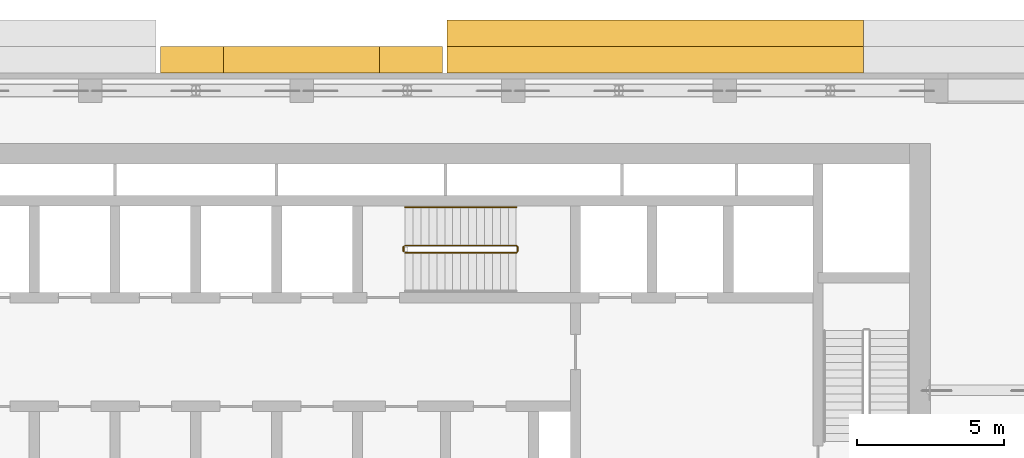
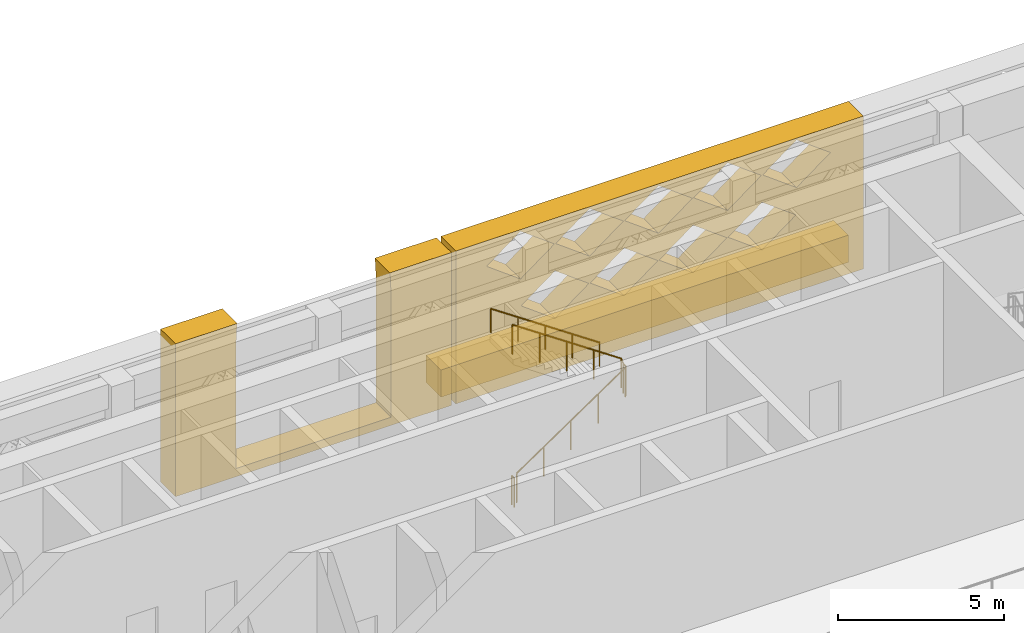
# One storey, part 19 of 20: 3 coverings, 3 railings.
"""IFC4 building model written with IfcOpenShell, lengths in metres."""

from ifc_helpers import new_model, si_unit, direction, frame, origin, origin_2d, place, context, subcontext, project, spatial, polyline, circle, outline, extrude, material, layer, layer_set, type_object, element, save


model = new_model("IFC4")

# Units and contexts
model_context = context("Model", 3, precision=1e-05, world=origin(), true_north=direction((0.0, 1.0)))
body_context = subcontext(model_context, "Body", "Model", "MODEL_VIEW")
ifc_project = project(units=[si_unit("LENGTHUNIT", "METRE"), si_unit("AREAUNIT", "SQUARE_METRE"), si_unit("VOLUMEUNIT", "CUBIC_METRE"), si_unit("PLANEANGLEUNIT", "RADIAN"), si_unit("MASSUNIT", "GRAM", prefix="KILO")], contexts=[model_context])

# Site, building, storey
site_placement = place(None, origin())
site = spatial("IfcSite", under=ifc_project, at=site_placement, CompositionType="ELEMENT")
building_placement = place(site_placement, origin())
building = spatial("IfcBuilding", under=site, at=building_placement, Name="Saffron Iwan Residences", CompositionType="ELEMENT")
storey_placement = place(building_placement, frame((0.0, 0.0, 206.0)))
storey = spatial("IfcBuildingStorey", under=building, at=storey_placement, Name="L55", CompositionType="ELEMENT", Elevation=206.0)

# Coverings
ifc_material_1 = material(Name="Precast concrete C40/50 white painted", Category="concrete")
covering_type_1 = type_object("IfcCoveringType", Name="IWAN PANEL PRECAST WHITE", PredefinedType="CLADDING", material=ifc_material_1)
covering_1_placement = place(storey_placement, frame((55.199951171875, 80.39990234375, -0.39990234375), z_axis=(0.0, 1.0, 0.0), x_axis=(-1.0, 0.0, 0.0)))
element("IfcCovering", 1, at=covering_1_placement, inside=storey, type_object=covering_type_1, Name="Iwan panel L55 F5.0", PredefinedType="CLADDING", context=body_context, shape_type="SweptSolid", body=[
    extrude(outline(polyline([(9.60009765625, 5.6201171875), (9.60009765625, 0.0), (0.0, 0.0), (0.0, 5.6201171875), (2.150390625, 5.6201171875), (2.12841796875, 5.434814453125), (2.10009765625, 4.71240234375), (2.10009765625, 0.300048828125), (7.5, 0.300048828125), (7.5, 4.71240234375), (7.4716796875, 5.434814453125), (7.44970703125, 5.6201171875), (9.60009765625, 5.6201171875)])), origin(), (0.0, 0.0, 1.0), 0.900146484375),
])
ifc_material_2 = material(Name="Precast concrete C40/50", Category="concrete")
covering_type_2 = type_object("IfcCoveringType", Name="OUTER SKIN LATTICE SCREEN", PredefinedType="CLADDING", material=ifc_material_2)
covering_2_placement = place(storey_placement, frame((69.52490234375, 80.39990234375, -0.39990234375), z_axis=(0.0, 1.0, 0.0), x_axis=(-1.0, 0.0, 0.0)))
element("IfcCovering", 2, at=covering_2_placement, inside=storey, type_object=covering_type_2, Name="OUTER SKIN lattice screen L55 F5.1", PredefinedType="CLADDING", context=body_context, shape_type="SweptSolid", body=[
    extrude(outline(polyline([(0.0, 0.0), (14.175048828125, 0.0), (14.175048828125, 5.6201171875), (0.0, 5.6201171875), (0.0, 0.0)]), holes=[polyline([(2.344970703125, 2.81005859375), (3.52490234375, 1.933349609375), (4.705078125, 2.81005859375), (3.52490234375, 3.686767578125), (2.344970703125, 2.81005859375)]), polyline([(4.7451171875, 2.81005859375), (5.925048828125, 1.933349609375), (7.10498046875, 2.81005859375), (5.925048828125, 3.686767578125), (4.7451171875, 2.81005859375)]), polyline([(7.14501953125, 2.81005859375), (8.324951171875, 1.933349609375), (9.5048828125, 2.81005859375), (8.324951171875, 3.686767578125), (7.14501953125, 2.81005859375)]), polyline([(9.544921875, 2.81005859375), (10.72509765625, 1.933349609375), (11.905029296875, 2.81005859375), (10.72509765625, 3.686767578125), (9.544921875, 2.81005859375)]), polyline([(1.14501953125, 4.683349609375), (2.324951171875, 3.806640625), (3.5048828125, 4.683349609375), (2.324951171875, 5.56005859375), (1.14501953125, 4.683349609375)]), polyline([(3.544921875, 4.683349609375), (4.72509765625, 3.806640625), (5.905029296875, 4.683349609375), (4.72509765625, 5.56005859375), (3.544921875, 4.683349609375)]), polyline([(5.945068359375, 4.683349609375), (7.125, 3.806640625), (8.304931640625, 4.683349609375), (7.125, 5.56005859375), (5.945068359375, 4.683349609375)]), polyline([(8.344970703125, 4.683349609375), (9.52490234375, 3.806640625), (10.705078125, 4.683349609375), (9.52490234375, 5.56005859375), (8.344970703125, 4.683349609375)]), polyline([(10.7451171875, 4.683349609375), (11.925048828125, 3.806640625), (13.10498046875, 4.683349609375), (11.925048828125, 5.56005859375), (10.7451171875, 4.683349609375)])]), origin(), (0.0, 0.0, 1.0), 0.900146484375),
])

# Railings
ifc_material_3 = material(Name="Steel S355", Category="steel")
railing_type_1 = type_object("IfcRailingType", Name="Stair guard 1100", PredefinedType="GUARDRAIL", material=ifc_material_3)
railing_1_placement = place(storey_placement, frame((53.925048828125, 74.27490234375, 0.183349609375)))
element("IfcRailing", 3, at=railing_1_placement, inside=storey, type_object=railing_type_1, Name="L55 ST-C stair guard 1", PredefinedType="GUARDRAIL", context=body_context, shape_type="SweptSolid", body=[
    extrude(circle(Radius=0.02392578125, at=origin_2d()), frame((0.0, 0.0, 1.076171875), z_axis=(0.827309931321, 0.0, 0.561745741005), x_axis=(0.0, 1.0, 0.0)), (0.0, 0.0, 1.0), 4.569091796875),
    extrude(circle(Radius=0.02392578125, at=origin_2d()), frame((3.780029296875, 0.0, 3.642578125), z_axis=(0.705375805398, 0.708833529934, 0.0), x_axis=(-0.708833529934, 0.705375805398, 0.0)), (0.0, 0.0, 1.0), 0.070556640625),
    extrude(circle(Radius=0.02392578125, at=origin_2d()), frame((3.829833984375, 0.050048828125, 3.642578125), z_axis=(0.0, 1.0, 0.0), x_axis=(-1.0, 0.0, 0.0)), (0.0, 0.0, 1.0), 0.150146484375),
    extrude(circle(Radius=0.02392578125, at=origin_2d()), frame((3.829833984375, 0.2001953125, 3.642578125), z_axis=(-0.253571150612, 0.253571150612, 0.933489873086), x_axis=(-0.707106781187, -0.707106781187, 0.0)), (0.0, 0.0, 1.0), 0.196533203125),
    extrude(circle(Radius=0.02392578125, at=origin_2d()), frame((3.780029296875, 0.25, 3.826171875), z_axis=(-0.827309931321, 0.0, 0.561745741005), x_axis=(0.0, -1.0, 0.0)), (0.0, 0.0, 1.0), 4.569091796875),
    extrude(circle(Radius=0.02099609375, at=origin_2d()), origin(), (0.0, 0.0, 1.0), 1.052001953125),
    extrude(circle(Radius=0.02099609375, at=origin_2d()), frame((0.945068359375, 0.0, 0.6416015625)), (0.0, 0.0, 1.0), 1.052001953125),
    extrude(circle(Radius=0.02099609375, at=origin_2d()), frame((1.89013671875, 0.0, 1.283203125)), (0.0, 0.0, 1.0), 1.052001953125),
    extrude(circle(Radius=0.02099609375, at=origin_2d()), frame((2.8349609375, 0.0, 1.925048828125)), (0.0, 0.0, 1.0), 1.052001953125),
    extrude(circle(Radius=0.02099609375, at=origin_2d()), frame((3.780029296875, 0.0, 2.566650390625)), (0.0, 0.0, 1.0), 1.052001953125),
    extrude(circle(Radius=0.02099609375, at=origin_2d()), frame((3.829833984375, 0.050048828125, 2.566650390625)), (0.0, 0.0, 1.0), 1.052001953125),
    extrude(circle(Radius=0.02099609375, at=origin_2d()), frame((3.829833984375, 0.2001953125, 2.566650390625)), (0.0, 0.0, 1.0), 1.052001953125),
    extrude(circle(Radius=0.02099609375, at=origin_2d()), frame((3.780029296875, 0.25, 2.75)), (0.0, 0.0, 1.0), 1.052001953125),
    extrude(circle(Radius=0.02099609375, at=origin_2d()), frame((2.8349609375, 0.25, 3.3916015625)), (0.0, 0.0, 1.0), 1.052001953125),
    extrude(circle(Radius=0.02099609375, at=origin_2d()), frame((1.89013671875, 0.25, 4.033203125)), (0.0, 0.0, 1.0), 1.052001953125),
    extrude(circle(Radius=0.02099609375, at=origin_2d()), frame((0.945068359375, 0.25, 4.675048828125)), (0.0, 0.0, 1.0), 1.052001953125),
    extrude(circle(Radius=0.02099609375, at=origin_2d()), frame((0.0, 0.25, 5.316650390625)), (0.0, 0.0, 1.0), 1.052001953125),
])
railing_2_placement = place(storey_placement, frame((53.875, 74.324951171875, 0.0)))
element("IfcRailing", 4, at=railing_2_placement, inside=storey, type_object=railing_type_1, Name="L55 ST-C stair guard 2", PredefinedType="GUARDRAIL", context=body_context, shape_type="SweptSolid", body=[
    extrude(circle(Radius=0.02392578125, at=origin_2d()), frame((0.0, 0.0, 1.076171875), z_axis=(0.0, 1.0, 0.0), x_axis=(-1.0, 0.0, 0.0)), (0.0, 0.0, 1.0), 0.150146484375),
    extrude(circle(Radius=0.02099609375, at=origin_2d()), origin(), (0.0, 0.0, 1.0), 1.052001953125),
    extrude(circle(Radius=0.02099609375, at=origin_2d()), frame((0.0, 0.150146484375, 0.0)), (0.0, 0.0, 1.0), 1.052001953125),
])
ifc_material_4 = material(Name="Stainless steel 316", Category="steel")
railing_type_2 = type_object("IfcRailingType", Name="Stair handrail 900", PredefinedType="HANDRAIL", material=ifc_material_4)
railing_3_placement = place(storey_placement, frame((57.705078125, 75.824951171875, 2.933349609375)))
element("IfcRailing", 5, at=railing_3_placement, inside=storey, type_object=railing_type_2, Name="L55 ST-C stair handrail 2", PredefinedType="HANDRAIL", context=body_context, shape_type="SweptSolid", body=[
    extrude(circle(Radius=0.02392578125, at=origin_2d()), frame((0.0, 0.0, 0.8759765625), z_axis=(-0.827309931321, 0.0, 0.561745741005), x_axis=(0.0, -1.0, 0.0)), (0.0, 0.0, 1.0), 4.569091796875),
    extrude(circle(Radius=0.02099609375, at=origin_2d()), origin(), (0.0, 0.0, 1.0), 0.851806640625),
    extrude(circle(Radius=0.02099609375, at=origin_2d()), frame((-0.945068359375, 0.0, 0.6416015625)), (0.0, 0.0, 1.0), 0.851806640625),
    extrude(circle(Radius=0.02099609375, at=origin_2d()), frame((-1.89013671875, 0.0, 1.283203125)), (0.0, 0.0, 1.0), 0.851806640625),
    extrude(circle(Radius=0.02099609375, at=origin_2d()), frame((-2.8349609375, 0.0, 1.925048828125)), (0.0, 0.0, 1.0), 0.851806640625),
    extrude(circle(Radius=0.02099609375, at=origin_2d()), frame((-3.780029296875, 0.0, 2.566650390625)), (0.0, 0.0, 1.0), 0.851806640625),
])

# Covering
ifc_layer = layer(ifc_material_1, 0.89990234375)
ifc_layer_set = layer_set([ifc_layer], Name="Precast concrete C40/50 white painted")
covering_type_3 = type_object("IfcCoveringType", Name="WHITE EDGE BAND 900 x 1000", PredefinedType="CLADDING", material=ifc_layer_set)
covering_3_placement = place(storey_placement, frame((0.0, 0.0, -0.699951171875)))
element("IfcCovering", 6, at=covering_3_placement, inside=storey, type_object=covering_type_3, Name="White edge band L55 F5.1", PredefinedType="CLADDING", context=body_context, shape_type="SweptSolid", body=[
    extrude(outline(polyline([(69.52490234375, 82.199951171875), (55.35009765625, 82.199951171875), (55.35009765625, 81.300048828125), (69.52490234375, 81.300048828125), (69.52490234375, 82.199951171875)])), origin(), (0.0, 0.0, 1.0), 1.0),
])

save(model, "model.ifc")
